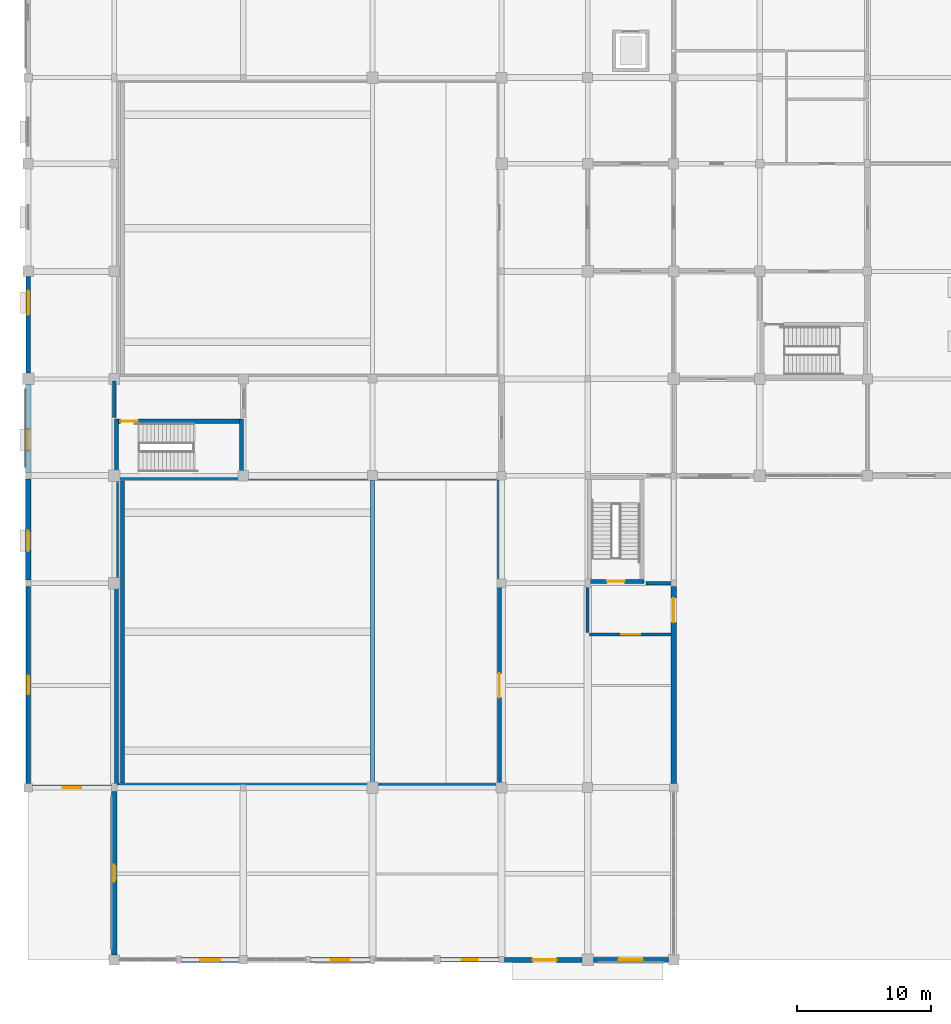
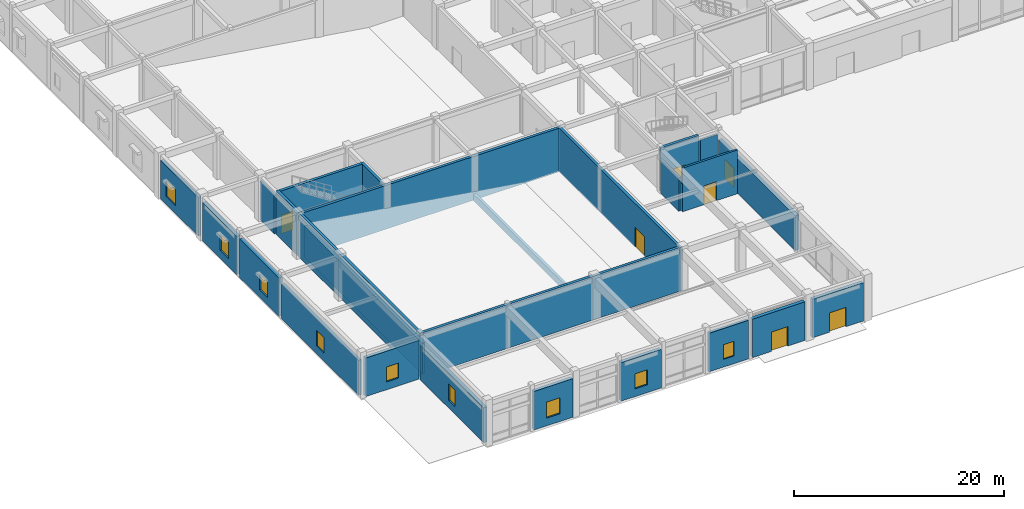
# One storey, part 23 of 40: 26 walls, 9 windows, 7 doors, 16 openings.
"""IFC4 building model written with IfcOpenShell, lengths in metres."""

import ifcopenshell
import ifcopenshell.guid

model = None  # the IFC model being written
_history = None  # IfcOwnerHistory: only IFC2X3 demands one
_inside = {}  # id of a spatial element -> (the spatial element, [elements in it])
_under = {}  # id of a project, library or spatial element -> (it, [spatial elements below it])
_declared = {}  # id of a project -> (the project, [libraries it declares])
_typed = {}  # id of a type object -> (the type object, [elements of that type])
_made_of = {}  # id of a material, layer set ... -> (it, [elements and type objects made of it])


def new_model(schema):
    """Start an empty IFC model of exactly this schema.

    Asked for "IFC4X3", IfcOpenShell would pick the latest addendum, in which some entities
    have other attributes; the version numbers below select the first issue.
    IFC2X3 requires an IfcOwnerHistory on every rooted entity: one is made here for all.
    """
    global model, _history
    if schema == "IFC4X3":
        model = ifcopenshell.file(schema_version=(4, 3, 0, 0))
    else:
        model = ifcopenshell.file(schema=schema)
    _inside.clear()
    _under.clear()
    _declared.clear()
    _typed.clear()
    _made_of.clear()
    _history = None
    if model.schema == "IFC2X3":
        org = make("IfcOrganization", Name="unknown")
        user = make(
            "IfcPersonAndOrganization",
            ThePerson=make("IfcPerson", FamilyName="unknown"),
            TheOrganization=org,
        )
        app = make(
            "IfcApplication",
            ApplicationDeveloper=org,
            Version="unknown",
            ApplicationFullName="unknown",
            ApplicationIdentifier="unknown",
        )
        _history = make(
            "IfcOwnerHistory",
            OwningUser=user,
            OwningApplication=app,
            ChangeAction="ADDED",
            CreationDate=0,
        )
    return model


def make(cls, **values):
    """One entity of the class cls with the attributes given. An attribute that is None is left unset."""
    return model.create_entity(
        cls, **{name: value for name, value in values.items() if value is not None}
    )


def rooted(cls, **values):
    """An entity with a GlobalId (a new one), such as an element, a storey or a relation."""
    return make(cls, GlobalId=ifcopenshell.guid.new(), OwnerHistory=_history, **values)


def si_unit(unit_type, name, prefix=None):
    """IfcSIUnit, for example si_unit("LENGTHUNIT", "METRE", prefix="MILLI")."""
    return make("IfcSIUnit", UnitType=unit_type, Prefix=prefix, Name=name)


def assignment(units):
    """IfcUnitAssignment: the units of a project."""
    return None if units is None else make("IfcUnitAssignment", Units=units)


def point(xyz):
    """IfcCartesianPoint."""
    return None if xyz is None else make("IfcCartesianPoint", Coordinates=xyz)


def direction(xyz):
    """IfcDirection."""
    return None if xyz is None else make("IfcDirection", DirectionRatios=xyz)


def frame(location, z_axis=None, x_axis=None):
    """IfcAxis2Placement3D, a coordinate frame: its origin and axes. An axis left out is left unset."""
    return make(
        "IfcAxis2Placement3D",
        Location=point(location),
        Axis=direction(z_axis),
        RefDirection=direction(x_axis),
    )


def frame_2d(location, x_axis=None):
    """IfcAxis2Placement2D, a coordinate frame in the plane: its origin and x axis."""
    return make(
        "IfcAxis2Placement2D", Location=point(location), RefDirection=direction(x_axis)
    )


def origin():
    """The frame at (0, 0, 0) with its axes left unset."""
    return frame((0.0, 0.0, 0.0))


def place(relative_to, where):
    """IfcLocalPlacement: puts the frame where relative to a parent placement (None: the world)."""
    return make(
        "IfcLocalPlacement", PlacementRelTo=relative_to, RelativePlacement=where
    )


def context(
    kind, dimensions, precision=None, world=None, true_north=None, identifier=None
):
    """IfcGeometricRepresentationContext, for example the 3D "Model" context."""
    return make(
        "IfcGeometricRepresentationContext",
        ContextIdentifier=identifier,
        ContextType=kind,
        CoordinateSpaceDimension=dimensions,
        Precision=precision,
        WorldCoordinateSystem=world,
        TrueNorth=true_north,
    )


def subcontext(parent, identifier, kind, view, scale=None):
    """IfcGeometricRepresentationSubContext, for example "Body" below "Model"."""
    return make(
        "IfcGeometricRepresentationSubContext",
        ContextIdentifier=identifier,
        ContextType=kind,
        ParentContext=parent,
        TargetScale=scale,
        TargetView=view,
    )


def project(units=None, contexts=None):
    """IfcProject with its units and contexts."""
    return rooted(
        "IfcProject",
        Name="project",
        RepresentationContexts=contexts,
        UnitsInContext=assignment(units),
    )


def spatial(cls, under=None, at=None, **own):
    """A site, building, storey or space (cls), placed at a placement, below another one or the project."""
    s = rooted(cls, ObjectPlacement=at, **own)
    if under is not None:
        _under.setdefault(under.id(), (under, []))[1].append(s)
    return s


def profile(cls, at=None, kind="AREA", **sizes):
    """A parametric profile (cls). Its sizes go by their IFC names, for example OverallWidth=200.0."""
    return make(cls, ProfileType=kind, Position=at, **sizes)


def rectangle(**sizes):
    """IfcRectangleProfileDef."""
    return profile("IfcRectangleProfileDef", **sizes)


def extrude(swept, where, along, depth):
    """IfcExtrudedAreaSolid: the profile swept, set in the frame where, extruded along a direction by depth."""
    return make(
        "IfcExtrudedAreaSolid",
        SweptArea=swept,
        Position=where,
        ExtrudedDirection=direction(along),
        Depth=depth,
    )


def shape(context_of_items, identifier, shape_type, items):
    """IfcShapeRepresentation: the items that make up one representation, for example the "Body"."""
    return make(
        "IfcShapeRepresentation",
        ContextOfItems=context_of_items,
        RepresentationIdentifier=identifier,
        RepresentationType=shape_type,
        Items=items,
    )


def material(Name=None, Category=None):
    """IfcMaterial."""
    return make("IfcMaterial", Name=Name, Category=Category)


def layer(
    of_material, thickness, ventilated=None, Name=None, Category=None, Priority=None
):
    """IfcMaterialLayer: one layer of a wall or slab, of a material (None: an air gap)."""
    return make(
        "IfcMaterialLayer",
        Material=of_material,
        LayerThickness=thickness,
        IsVentilated=ventilated,
        Name=Name,
        Category=Category,
        Priority=Priority,
    )


def layer_set(layers, Name=None):
    """IfcMaterialLayerSet."""
    return make("IfcMaterialLayerSet", MaterialLayers=layers, LayerSetName=Name)


def made_of(thing, what):
    """Note that an element or type object is made of a material, layer set ...; save() writes the relation."""
    if what is not None:
        _made_of.setdefault(what.id(), (what, []))[1].append(thing)
    return thing


def type_object(cls, material=None, **own):
    """A type object (cls), such as IfcWallType, which elements share."""
    return made_of(rooted(cls, **own), material)


def element(
    cls,
    number,
    at=None,
    inside=None,
    cuts=None,
    type_object=None,
    material=None,
    context=None,
    identifier="Body",
    shape_type=None,
    held_by="IfcProductDefinitionShape",
    body=None,
    shapes=None,
    **own,
):
    """One element of the class cls, such as IfcWall. Its Tag is "e" and its number.

    at: its placement. inside: the storey or other place that contains it. cuts: it is an
    opening in that element (IfcRelVoidsElement). A single representation is given by context,
    identifier, shape_type and body (its items); several are given by shapes. held_by: the class
    of the entity that holds the representations. save() writes the other relations.
    """
    e = rooted(cls, Tag="e%d" % number, ObjectPlacement=at, **own)
    if body is not None:
        shapes = [shape(context, identifier, shape_type, body)]
    if shapes is not None:
        e.Representation = make(held_by, Representations=shapes)
    if inside is not None:
        _inside.setdefault(inside.id(), (inside, []))[1].append(e)
    if cuts is not None:
        rooted(
            "IfcRelVoidsElement", RelatingBuildingElement=cuts, RelatedOpeningElement=e
        )
    if type_object is not None:
        _typed.setdefault(type_object.id(), (type_object, []))[1].append(e)
    return made_of(e, material)


def fill(opening, filler):
    """IfcRelFillsElement: the door or window that sits in an opening."""
    return rooted(
        "IfcRelFillsElement",
        RelatingOpeningElement=opening,
        RelatedBuildingElement=filler,
    )


def aggregate(whole, parts):
    """IfcRelAggregates: a whole, such as a stair, and the parts it consists of."""
    return rooted("IfcRelAggregates", RelatingObject=whole, RelatedObjects=parts)


def save(model, path):
    """Write the relations noted so far, then the file.

    IfcRelAggregates (storeys below a building ...), IfcRelContainedInSpatialStructure (elements
    in a storey), IfcRelDefinesByType, IfcRelAssociatesMaterial and IfcRelDeclares: one each for
    every whole, place, type object, material and project.
    """
    for whole, parts in _under.values():
        aggregate(whole, parts)
    for where, things in _inside.values():
        rooted(
            "IfcRelContainedInSpatialStructure",
            RelatedElements=things,
            RelatingStructure=where,
        )
    for kind, things in _typed.values():
        rooted("IfcRelDefinesByType", RelatedObjects=things, RelatingType=kind)
    for what, things in _made_of.values():
        rooted("IfcRelAssociatesMaterial", RelatedObjects=things, RelatingMaterial=what)
    for by, libraries in _declared.values():
        rooted("IfcRelDeclares", RelatingContext=by, RelatedDefinitions=libraries)
    model.write(path)


model = new_model("IFC4")

# Units and contexts
model_context = context("Model", 3, precision=1e-05, world=origin(), true_north=direction((0.0, 1.0)))
body_context = subcontext(model_context, "Body", "Model", "MODEL_VIEW")
ifc_project = project(units=[si_unit("LENGTHUNIT", "METRE"), si_unit("AREAUNIT", "SQUARE_METRE"), si_unit("VOLUMEUNIT", "CUBIC_METRE"), si_unit("PLANEANGLEUNIT", "RADIAN"), si_unit("MASSUNIT", "GRAM", prefix="KILO")], contexts=[model_context])

# Site, building, storey
site_placement = place(None, origin())
site = spatial("IfcSite", under=ifc_project, at=site_placement, CompositionType="ELEMENT")
building_placement = place(site_placement, origin())
building = spatial("IfcBuilding", under=site, at=building_placement, Name="Vellmiral Cinema and Media Centre", CompositionType="ELEMENT")
storey_placement = place(building_placement, origin())
storey = spatial("IfcBuildingStorey", under=building, at=storey_placement, Name="L00", CompositionType="ELEMENT", Elevation=0.0)

# Walls
ifc_material_1 = material(Name="Concrete C40/50", Category="concrete")
ifc_layer_1 = layer(ifc_material_1, 0.300048828125, Name="Concrete C40/50")
ifc_layer_set_1 = layer_set([ifc_layer_1], Name="Concrete C40/50")
wall_type_1 = type_object("IfcWallType", Name="WL-CORE-300", PredefinedType="SHEAR", material=ifc_layer_set_1)
for number, where, z_axis, x_axis, name in (
    (1, (6.699951171875, 12.949951171875, 0.0), (0.0, 0.0, 1.0), (1.0, 0.0, 0.0), "Cinema Screen 1 Acoustic Enclosure Wall L00-S1"),
    (2, (6.699951171875, 35.85009765625, 0.0), (0.0, 0.0, 1.0), (1.0, 0.0, 0.0), "Cinema Screen 1 Acoustic Enclosure Wall L00-N1"),
):
    element("IfcWall", number, at=place(storey_placement, frame(where, z_axis=z_axis, x_axis=x_axis)), inside=storey, type_object=wall_type_1, Name=name, PredefinedType="SHEAR", context=body_context, shape_type="SweptSolid", body=[
        extrude(rectangle(XDim=28.199951171875, YDim=0.300048828125, at=frame_2d((14.10009765625, 0.0))), origin(), (0.0, 0.0, 1.0), 5.080078125),
    ])
wall_1_placement = place(storey_placement, frame((6.550048828125, 12.800048828125, 0.0), z_axis=(0.0, 0.0, 1.0), x_axis=(0.0, 1.0, 0.0)))
element("IfcWall", 3, at=wall_1_placement, inside=storey, type_object=wall_type_1, Name="Cinema Screen 1 Acoustic Enclosure Wall L00-W1", PredefinedType="SHEAR", context=body_context, shape_type="SweptSolid", body=[
    extrude(rectangle(XDim=23.199951171875, YDim=0.300048828125, at=frame_2d((11.60009765625, 0.0))), origin(), (0.0, 0.0, 1.0), 5.080078125),
])

# Wall, opening, door
wall_2_placement = place(storey_placement, frame((35.050048828125, 12.800048828125, 0.0), z_axis=(0.0, 0.0, 1.0), x_axis=(0.0, 1.0, 0.0)))
wall_2 = element("IfcWall", 4, at=wall_2_placement, inside=storey, type_object=wall_type_1, Name="Cinema Screen 1 Acoustic Enclosure Wall L00-E1", PredefinedType="SHEAR", context=body_context, shape_type="SweptSolid", body=[
    extrude(rectangle(XDim=23.199951171875, YDim=0.300048828125, at=frame_2d((11.60009765625, 0.0))), origin(), (0.0, 0.0, 1.0), 5.080078125),
])
opening_1_placement = place(wall_2_placement, frame((6.699951171875, 0.0, 0.0)))
opening_1 = element("IfcOpeningElement", 5, at=opening_1_placement, cuts=wall_2, Name="Opening D-AC1", PredefinedType="OPENING", context=body_context, shape_type="SweptSolid", body=[
    extrude(rectangle(XDim=1.800048828125, YDim=2.300048828125, at=frame_2d((0.89990234375, 1.14990234375))), frame((0.0, 0.162109375, 0.0), z_axis=(0.0, -1.0, 0.0), x_axis=(1.0, 0.0, 0.0)), (0.0, 0.0, 1.0), 0.323974609375),
])
ifc_material_2 = material(Name="Acoustic Steel Studio Door", Category="steel")
door_type_1 = type_object("IfcDoorType", Name="DR-AC-1800x2300", OperationType="DOUBLE_DOOR_SINGLE_SWING", PredefinedType="DOOR", material=ifc_material_2)
door_1_placement = place(opening_1_placement, frame((1.800048828125, 0.0, 0.0), z_axis=(0.0, 0.0, 1.0), x_axis=(-1.0, 0.0, 0.0)))
door_1 = element("IfcDoor", 6, at=door_1_placement, inside=storey, type_object=door_type_1, Name="Cinema Screen 1 Entrance Door", OperationType="DOUBLE_DOOR_SINGLE_SWING", OverallHeight=2.300048828125, OverallWidth=1.800048828125, PredefinedType="DOOR", context=body_context, shape_type="SweptSolid", body=[
    extrude(rectangle(XDim=1.800048828125, YDim=2.300048828125, at=frame_2d((0.89990234375, 1.14990234375))), frame((0.0, 0.02490234375, 0.0), z_axis=(0.0, -1.0, 0.0), x_axis=(1.0, 0.0, 0.0)), (0.0, 0.0, 1.0), 0.050048828125),
])
fill(opening_1, door_1)

wall_3_placement = place(storey_placement, frame((41.60009765625, 28.14990234375, 0.0), z_axis=(0.0, 0.0, 1.0), x_axis=(1.0, 0.0, 0.0)))
wall_3 = element("IfcWall", 7, at=wall_3_placement, inside=storey, type_object=wall_type_1, Name="Stair Core Wall ST-P1 L00-S", PredefinedType="SHEAR", context=body_context, shape_type="SweptSolid", body=[
    extrude(rectangle(XDim=4.199951171875, YDim=0.300048828125, at=frame_2d((2.10009765625, 0.0))), origin(), (0.0, 0.0, 1.0), 5.080078125),
])
opening_2_placement = place(wall_3_placement, frame((1.449951171875, 0.0, 0.0)))
opening_2 = element("IfcOpeningElement", 8, at=opening_2_placement, cuts=wall_3, Name="Opening D-FD30A", PredefinedType="OPENING", context=body_context, shape_type="SweptSolid", body=[
    extrude(rectangle(XDim=1.300048828125, YDim=2.179931640625, at=frame_2d((0.64990234375, 1.08984375))), frame((0.0, 0.162109375, 0.0), z_axis=(0.0, -1.0, 0.0), x_axis=(1.0, 0.0, 0.0)), (0.0, 0.0, 1.0), 0.323974609375),
])
ifc_material_3 = material(Name="Steel Stair Fire Door", Category="steel")
door_type_2 = type_object("IfcDoorType", Name="DR-FD30-1300x2180", OperationType="NOTDEFINED", PredefinedType="DOOR", material=ifc_material_3)
door_2_placement = place(opening_2_placement, frame((1.300048828125, 0.0, 0.0), z_axis=(0.0, 0.0, 1.0), x_axis=(-1.0, 0.0, 0.0)))
door_2 = element("IfcDoor", 9, at=door_2_placement, inside=storey, type_object=door_type_2, Name="Protected Stair Door ST-P1 L00", OperationType="SINGLE_SWING_RIGHT", OverallHeight=2.179931640625, OverallWidth=1.300048828125, PredefinedType="DOOR", context=body_context, shape_type="SweptSolid", body=[
    extrude(rectangle(XDim=1.300048828125, YDim=2.179931640625, at=frame_2d((0.64990234375, 1.08984375))), frame((0.0, 0.02490234375, 0.0), z_axis=(0.0, -1.0, 0.0), x_axis=(1.0, 0.0, 0.0)), (0.0, 0.0, 1.0), 0.050048828125),
])
fill(opening_2, door_2)

# Walls
for number, where, z_axis, x_axis, name in (
    (10, (6.550048828125, 36.0, 0.0), (0.0, 0.0, 1.0), (0.0, 1.0, 0.0), "Stair Core Wall ST-P7 L00-W"),
    (11, (15.85009765625, 36.0, 0.0), (0.0, 0.0, 1.0), (0.0, 1.0, 0.0), "Stair Core Wall ST-P7 L00-E"),
):
    element("IfcWall", number, at=place(storey_placement, frame(where, z_axis=z_axis, x_axis=x_axis)), inside=storey, type_object=wall_type_1, Name=name, PredefinedType="SHEAR", context=body_context, shape_type="SweptSolid", body=[
        extrude(rectangle(XDim=4.199951171875, YDim=0.300048828125, at=frame_2d((2.10009765625, 0.0))), origin(), (0.0, 0.0, 1.0), 5.080078125),
    ])

# Wall, opening, door
wall_4_placement = place(storey_placement, frame((6.699951171875, 40.050048828125, 0.0), z_axis=(0.0, 0.0, 1.0), x_axis=(1.0, 0.0, 0.0)))
wall_4 = element("IfcWall", 12, at=wall_4_placement, inside=storey, type_object=wall_type_1, Name="Stair Core Wall ST-P7 L00-N", PredefinedType="SHEAR", context=body_context, shape_type="SweptSolid", body=[
    extrude(rectangle(XDim=9.0, YDim=0.300048828125, at=frame_2d((4.5, 0.0))), origin(), (0.0, 0.0, 1.0), 5.080078125),
])
opening_3_placement = place(wall_4_placement, frame((0.159912109375, 0.0, 0.0)))
opening_3 = element("IfcOpeningElement", 13, at=opening_3_placement, cuts=wall_4, Name="Opening D-FD30A", PredefinedType="OPENING", context=body_context, shape_type="SweptSolid", body=[
    extrude(rectangle(XDim=1.300048828125, YDim=2.179931640625, at=frame_2d((0.64990234375, 1.08984375))), frame((0.0, 0.162109375, 0.0), z_axis=(0.0, -1.0, 0.0), x_axis=(1.0, 0.0, 0.0)), (0.0, 0.0, 1.0), 0.323974609375),
])
door_3_placement = place(opening_3_placement, origin())
door_3 = element("IfcDoor", 14, at=door_3_placement, inside=storey, type_object=door_type_2, Name="Protected Stair Door ST-P7 L00", OperationType="SINGLE_SWING_LEFT", OverallHeight=2.179931640625, OverallWidth=1.300048828125, PredefinedType="DOOR", context=body_context, shape_type="SweptSolid", body=[
    extrude(rectangle(XDim=1.300048828125, YDim=2.179931640625, at=frame_2d((0.64990234375, 1.08984375))), frame((0.0, 0.02490234375, 0.0), z_axis=(0.0, -1.0, 0.0), x_axis=(1.0, 0.0, 0.0)), (0.0, 0.0, 1.0), 0.050048828125),
])
fill(opening_3, door_3)

# Wall, opening, window
ifc_material_4 = material(Name="Polychrome Glazed Ceramic Cladding", Category="masonry")
ifc_layer_2 = layer(ifc_material_4, 0.320068359375, Name="Polychrome Glazed Ceramic Cladding")
ifc_layer_set_2 = layer_set([ifc_layer_2], Name="Polychrome Glazed Ceramic Cladding")
wall_type_2 = type_object("IfcWallType", Name="WL-EXT-BRICK-320", PredefinedType="SOLIDWALL", material=ifc_layer_set_2)
wall_5_placement = place(storey_placement, frame((30.64990234375, 0.0, 0.0), z_axis=(0.0, 0.0, 1.0), x_axis=(1.0, 0.0, 0.0)))
wall_5 = element("IfcWall", 15, at=wall_5_placement, inside=storey, type_object=wall_type_2, Name="Exterior Facade Wall L00-006", PredefinedType="SOLIDWALL", context=body_context, shape_type="SweptSolid", body=[
    extrude(rectangle(XDim=4.35009765625, YDim=0.320068359375, at=frame_2d((2.175048828125, 0.0))), origin(), (0.0, 0.0, 1.0), 4.47998046875),
])
opening_4_placement = place(wall_5_placement, frame((1.574951171875, 0.0, 0.89990234375)))
opening_4 = element("IfcOpeningElement", 16, at=opening_4_placement, cuts=wall_5, Name="Opening WN-10", PredefinedType="OPENING", context=body_context, shape_type="SweptSolid", body=[
    extrude(rectangle(XDim=1.199951171875, YDim=1.699951171875, at=frame_2d((0.60009765625, 0.85009765625))), frame((0.0, 0.171875, 0.0), z_axis=(0.0, -1.0, 0.0), x_axis=(1.0, 0.0, 0.0)), (0.0, 0.0, 1.0), 0.343994140625),
])
ifc_material_5 = material(Name="Thermally Broken Aluminium Triple Glazing", Category="aluminium")
window_type_1 = type_object("IfcWindowType", Name="WN-1200x1700", PartitioningType="SINGLE_PANEL", PredefinedType="WINDOW", material=ifc_material_5)
window_1_placement = place(opening_4_placement, origin())
window_1 = element("IfcWindow", 17, at=window_1_placement, inside=storey, type_object=window_type_1, Name="Window L00-006", OverallHeight=1.699951171875, OverallWidth=1.199951171875, PartitioningType="SINGLE_PANEL", PredefinedType="WINDOW", context=body_context, shape_type="SweptSolid", body=[
    extrude(rectangle(XDim=1.199951171875, YDim=1.699951171875, at=frame_2d((0.60009765625, 0.85009765625))), frame((0.0, 0.030029296875, 0.0), z_axis=(0.0, -1.0, 0.0), x_axis=(1.0, 0.0, 0.0)), (0.0, 0.0, 1.0), 0.06005859375),
])
fill(opening_4, window_1)

wall_6_placement = place(storey_placement, frame((0.0, 50.800048828125, 0.0), z_axis=(0.0, 0.0, 1.0), x_axis=(0.0, -1.0, 0.0)))
wall_6 = element("IfcWall", 18, at=wall_6_placement, inside=storey, type_object=wall_type_2, Name="Exterior Facade Wall L00-075", PredefinedType="SOLIDWALL", context=body_context, shape_type="SweptSolid", body=[
    extrude(rectangle(XDim=7.175048828125, YDim=0.320068359375, at=frame_2d((3.58740234375, 0.0))), origin(), (0.0, 0.0, 1.0), 4.47998046875),
])
opening_5_placement = place(wall_6_placement, frame((1.03759765625, 0.0, 0.89990234375)))
opening_5 = element("IfcOpeningElement", 19, at=opening_5_placement, cuts=wall_6, Name="Opening WN-04", PredefinedType="OPENING", context=body_context, shape_type="SweptSolid", body=[
    extrude(rectangle(XDim=1.800048828125, YDim=1.85009765625, at=frame_2d((0.89990234375, 0.925048828125))), frame((0.0, 0.171875, 0.0), z_axis=(0.0, -1.0, 0.0), x_axis=(1.0, 0.0, 0.0)), (0.0, 0.0, 1.0), 0.343994140625),
])
ifc_material_6 = material(Name="Thermally Broken Aluminium Triple Glazing", Category="aluminium")
window_type_2 = type_object("IfcWindowType", Name="WN-1800x1850", PartitioningType="DOUBLE_PANEL_VERTICAL", PredefinedType="WINDOW", material=ifc_material_6)
window_2_placement = place(opening_5_placement, origin())
window_2 = element("IfcWindow", 20, at=window_2_placement, inside=storey, type_object=window_type_2, Name="Window L00-075", OverallHeight=1.85009765625, OverallWidth=1.800048828125, PartitioningType="DOUBLE_PANEL_VERTICAL", PredefinedType="WINDOW", context=body_context, shape_type="SweptSolid", body=[
    extrude(rectangle(XDim=1.800048828125, YDim=1.85009765625, at=frame_2d((0.89990234375, 0.925048828125))), frame((0.0, 0.030029296875, 0.0), z_axis=(0.0, -1.0, 0.0), x_axis=(1.0, 0.0, 0.0)), (0.0, 0.0, 1.0), 0.06005859375),
])
fill(opening_5, window_2)

wall_7_placement = place(storey_placement, frame((0.0, 27.75, 0.0), z_axis=(0.0, 0.0, 1.0), x_axis=(0.0, -1.0, 0.0)))
wall_7 = element("IfcWall", 21, at=wall_7_placement, inside=storey, type_object=wall_type_2, Name="Exterior Facade Wall L00-078", PredefinedType="SOLIDWALL", context=body_context, shape_type="SweptSolid", body=[
    extrude(rectangle(XDim=14.625, YDim=0.320068359375, at=frame_2d((7.3125, 0.0))), origin(), (0.0, 0.0, 1.0), 4.06494140625),
])
opening_6_placement = place(wall_7_placement, frame((6.612548828125, 0.0, 0.89990234375)))
opening_6 = element("IfcOpeningElement", 22, at=opening_6_placement, cuts=wall_7, Name="Opening WN-07", PredefinedType="OPENING", context=body_context, shape_type="SweptSolid", body=[
    extrude(rectangle(XDim=1.39990234375, YDim=1.800048828125, at=frame_2d((0.699951171875, 0.89990234375))), frame((0.0, 0.171875, 0.0), z_axis=(0.0, -1.0, 0.0), x_axis=(1.0, 0.0, 0.0)), (0.0, 0.0, 1.0), 0.343994140625),
])
ifc_material_7 = material(Name="Thermally Broken Aluminium Triple Glazing", Category="aluminium")
window_type_3 = type_object("IfcWindowType", Name="WN-1400x1800", PartitioningType="SINGLE_PANEL", PredefinedType="WINDOW", material=ifc_material_7)
window_3_placement = place(opening_6_placement, origin())
window_3 = element("IfcWindow", 23, at=window_3_placement, inside=storey, type_object=window_type_3, Name="Window L00-078", OverallHeight=1.800048828125, OverallWidth=1.39990234375, PartitioningType="SINGLE_PANEL", PredefinedType="WINDOW", context=body_context, shape_type="SweptSolid", body=[
    extrude(rectangle(XDim=1.39990234375, YDim=1.800048828125, at=frame_2d((0.699951171875, 0.89990234375))), frame((0.0, 0.030029296875, 0.0), z_axis=(0.0, -1.0, 0.0), x_axis=(1.0, 0.0, 0.0)), (0.0, 0.0, 1.0), 0.06005859375),
])
fill(opening_6, window_3)

ifc_material_8 = material(Name="Vosges Red Sandstone Masonry", Category="masonry")
ifc_layer_3 = layer(ifc_material_8, 0.3798828125, Name="Vosges Red Sandstone Masonry")
ifc_layer_set_3 = layer_set([ifc_layer_3], Name="Vosges Red Sandstone Masonry")
wall_type_3 = type_object("IfcWallType", Name="WL-EXT-SAND-380", PredefinedType="SOLIDWALL", material=ifc_layer_set_3)
wall_8_placement = place(storey_placement, frame((11.39990234375, 0.0, 0.0), z_axis=(0.0, 0.0, 1.0), x_axis=(1.0, 0.0, 0.0)))
wall_8 = element("IfcWall", 24, at=wall_8_placement, inside=storey, type_object=wall_type_3, Name="Exterior Facade Wall L00-002", PredefinedType="SOLIDWALL", context=body_context, shape_type="SweptSolid", body=[
    extrude(rectangle(XDim=4.275146484375, YDim=0.3798828125, at=frame_2d((2.1376953125, 0.0))), origin(), (0.0, 0.0, 1.0), 4.47998046875),
])
opening_7_placement = place(wall_8_placement, frame((1.387451171875, 0.0, 0.89990234375)))
opening_7 = element("IfcOpeningElement", 25, at=opening_7_placement, cuts=wall_8, Name="Opening WN-06", PredefinedType="OPENING", context=body_context, shape_type="SweptSolid", body=[
    extrude(rectangle(XDim=1.5, YDim=1.85009765625, at=frame_2d((0.75, 0.925048828125))), frame((0.0, 0.201904296875, 0.0), z_axis=(0.0, -1.0, 0.0), x_axis=(1.0, 0.0, 0.0)), (0.0, 0.0, 1.0), 0.40380859375),
])
ifc_material_9 = material(Name="Thermally Broken Aluminium Triple Glazing", Category="aluminium")
window_type_4 = type_object("IfcWindowType", Name="WN-1500x1850", PartitioningType="SINGLE_PANEL", PredefinedType="WINDOW", material=ifc_material_9)
window_4_placement = place(opening_7_placement, origin())
window_4 = element("IfcWindow", 26, at=window_4_placement, inside=storey, type_object=window_type_4, Name="Window L00-002", OverallHeight=1.85009765625, OverallWidth=1.5, PartitioningType="SINGLE_PANEL", PredefinedType="WINDOW", context=body_context, shape_type="SweptSolid", body=[
    extrude(rectangle(XDim=1.5, YDim=1.85009765625, at=frame_2d((0.75, 0.925048828125))), frame((0.0, 0.030029296875, 0.0), z_axis=(0.0, -1.0, 0.0), x_axis=(1.0, 0.0, 0.0)), (0.0, 0.0, 1.0), 0.06005859375),
])
fill(opening_7, window_4)

wall_9_placement = place(storey_placement, frame((20.97509765625, 0.0, 0.0), z_axis=(0.0, 0.0, 1.0), x_axis=(1.0, 0.0, 0.0)))
wall_9 = element("IfcWall", 27, at=wall_9_placement, inside=storey, type_object=wall_type_3, Name="Exterior Facade Wall L00-004", PredefinedType="SOLIDWALL", context=body_context, shape_type="SweptSolid", body=[
    extrude(rectangle(XDim=4.4248046875, YDim=0.3798828125, at=frame_2d((2.21240234375, 0.0))), origin(), (0.0, 0.0, 1.0), 4.47998046875),
])
opening_8_placement = place(wall_9_placement, frame((1.53759765625, 0.0, 0.89990234375)))
opening_8 = element("IfcOpeningElement", 28, at=opening_8_placement, cuts=wall_9, Name="Opening WN-08", PredefinedType="OPENING", context=body_context, shape_type="SweptSolid", body=[
    extrude(rectangle(XDim=1.35009765625, YDim=1.75, at=frame_2d((0.675048828125, 0.875))), frame((0.0, 0.201904296875, 0.0), z_axis=(0.0, -1.0, 0.0), x_axis=(1.0, 0.0, 0.0)), (0.0, 0.0, 1.0), 0.40380859375),
])
ifc_material_10 = material(Name="Thermally Broken Aluminium Triple Glazing", Category="aluminium")
window_type_5 = type_object("IfcWindowType", Name="WN-1350x1750", PartitioningType="SINGLE_PANEL", PredefinedType="WINDOW", material=ifc_material_10)
window_5_placement = place(opening_8_placement, origin())
window_5 = element("IfcWindow", 29, at=window_5_placement, inside=storey, type_object=window_type_5, Name="Window L00-004", OverallHeight=1.75, OverallWidth=1.35009765625, PartitioningType="SINGLE_PANEL", PredefinedType="WINDOW", context=body_context, shape_type="SweptSolid", body=[
    extrude(rectangle(XDim=1.35009765625, YDim=1.75, at=frame_2d((0.675048828125, 0.875))), frame((0.0, 0.030029296875, 0.0), z_axis=(0.0, -1.0, 0.0), x_axis=(1.0, 0.0, 0.0)), (0.0, 0.0, 1.0), 0.06005859375),
])
fill(opening_8, window_5)

# Wall, opening, door
wall_10_placement = place(storey_placement, frame((35.39990234375, 0.0, 0.0), z_axis=(0.0, 0.0, 1.0), x_axis=(1.0, 0.0, 0.0)))
wall_10 = element("IfcWall", 30, at=wall_10_placement, inside=storey, type_object=wall_type_3, Name="Exterior Facade Wall L00-007", PredefinedType="SOLIDWALL", context=body_context, shape_type="SweptSolid", body=[
    extrude(rectangle(XDim=5.775146484375, YDim=0.3798828125, at=frame_2d((2.8876953125, 0.0))), origin(), (0.0, 0.0, 1.0), 4.47998046875),
])
opening_9_placement = place(wall_10_placement, frame((2.10009765625, 0.0, 0.0)))
opening_9 = element("IfcOpeningElement", 31, at=opening_9_placement, cuts=wall_10, Name="Opening DE-03", PredefinedType="OPENING", context=body_context, shape_type="SweptSolid", body=[
    extrude(rectangle(XDim=1.800048828125, YDim=2.25, at=frame_2d((0.89990234375, 1.125))), frame((0.0, 0.201904296875, 0.0), z_axis=(0.0, -1.0, 0.0), x_axis=(1.0, 0.0, 0.0)), (0.0, 0.0, 1.0), 0.40380859375),
])
ifc_material_11 = material(Name="Thermally Broken Glazed Aluminium and Bronze Door", Category="aluminium")
door_type_3 = type_object("IfcDoorType", Name="DR-EXIT-1800x2250", OperationType="DOUBLE_DOOR_SINGLE_SWING", PredefinedType="DOOR", material=ifc_material_11)
door_4_placement = place(opening_9_placement, frame((1.800048828125, 0.0, 0.0), z_axis=(0.0, 0.0, 1.0), x_axis=(-1.0, 0.0, 0.0)))
door_4 = element("IfcDoor", 32, at=door_4_placement, inside=storey, type_object=door_type_3, Name="West Promenade Colonnade Exit", OperationType="DOUBLE_DOOR_SINGLE_SWING", OverallHeight=2.25, OverallWidth=1.800048828125, PredefinedType="DOOR", context=body_context, shape_type="SweptSolid", body=[
    extrude(rectangle(XDim=1.800048828125, YDim=2.25, at=frame_2d((0.89990234375, 1.125))), frame((0.0, 0.02490234375, 0.0), z_axis=(0.0, -1.0, 0.0), x_axis=(1.0, 0.0, 0.0)), (0.0, 0.0, 1.0), 0.050048828125),
])
fill(opening_9, door_4)

wall_11_placement = place(storey_placement, frame((42.02490234375, 0.0, 0.0), z_axis=(0.0, 0.0, 1.0), x_axis=(1.0, 0.0, 0.0)))
wall_11 = element("IfcWall", 33, at=wall_11_placement, inside=storey, type_object=wall_type_3, Name="Exterior Facade Wall L00-008", PredefinedType="SOLIDWALL", context=body_context, shape_type="SweptSolid", body=[
    extrude(rectangle(XDim=5.5751953125, YDim=0.3798828125, at=frame_2d((2.78759765625, 0.0))), origin(), (0.0, 0.0, 1.0), 4.465087890625),
])
opening_10_placement = place(wall_11_placement, frame((1.875, 0.0, 0.0)))
opening_10 = element("IfcOpeningElement", 34, at=opening_10_placement, cuts=wall_11, Name="Opening DE-03", PredefinedType="OPENING", context=body_context, shape_type="SweptSolid", body=[
    extrude(rectangle(XDim=1.800048828125, YDim=2.25, at=frame_2d((0.89990234375, 1.125))), frame((0.0, 0.201904296875, 0.0), z_axis=(0.0, -1.0, 0.0), x_axis=(1.0, 0.0, 0.0)), (0.0, 0.0, 1.0), 0.40380859375),
])
door_5_placement = place(opening_10_placement, frame((1.800048828125, 0.0, 0.0), z_axis=(0.0, 0.0, 1.0), x_axis=(-1.0, 0.0, 0.0)))
door_5 = element("IfcDoor", 35, at=door_5_placement, inside=storey, type_object=door_type_3, Name="West Stair ST-P1 Promenade Discharge", OperationType="DOUBLE_DOOR_SINGLE_SWING", OverallHeight=2.25, OverallWidth=1.800048828125, PredefinedType="DOOR", context=body_context, shape_type="SweptSolid", body=[
    extrude(rectangle(XDim=1.800048828125, YDim=2.25, at=frame_2d((0.89990234375, 1.125))), frame((0.0, 0.02490234375, 0.0), z_axis=(0.0, -1.0, 0.0), x_axis=(1.0, 0.0, 0.0)), (0.0, 0.0, 1.0), 0.050048828125),
])
fill(opening_10, door_5)

wall_12_placement = place(storey_placement, frame((48.0, 13.125, 0.0), z_axis=(0.0, 0.0, 1.0), x_axis=(0.0, 1.0, 0.0)))
wall_12 = element("IfcWall", 36, at=wall_12_placement, inside=storey, type_object=wall_type_3, Name="Exterior Facade Wall L00-010", PredefinedType="SOLIDWALL", context=body_context, shape_type="SweptSolid", body=[
    extrude(rectangle(XDim=14.625, YDim=0.3798828125, at=frame_2d((7.3125, 0.0))), origin(), (0.0, 0.0, 1.0), 4.06494140625),
])
opening_11_placement = place(wall_12_placement, frame((11.97509765625, 0.0, 0.0)))
opening_11 = element("IfcOpeningElement", 37, at=opening_11_placement, cuts=wall_12, Name="Opening DE-03", PredefinedType="OPENING", context=body_context, shape_type="SweptSolid", body=[
    extrude(rectangle(XDim=1.800048828125, YDim=2.25, at=frame_2d((0.89990234375, 1.125))), frame((0.0, 0.201904296875, 0.0), z_axis=(0.0, -1.0, 0.0), x_axis=(1.0, 0.0, 0.0)), (0.0, 0.0, 1.0), 0.40380859375),
])
door_6_placement = place(opening_11_placement, frame((1.800048828125, 0.0, 0.0), z_axis=(0.0, 0.0, 1.0), x_axis=(-1.0, 0.0, 0.0)))
door_6 = element("IfcDoor", 38, at=door_6_placement, inside=storey, type_object=door_type_3, Name="Firefighting Stair Lobby ST-P1 Forecourt Exit", OperationType="DOUBLE_DOOR_SINGLE_SWING", OverallHeight=2.25, OverallWidth=1.800048828125, PredefinedType="DOOR", context=body_context, shape_type="SweptSolid", body=[
    extrude(rectangle(XDim=1.800048828125, YDim=2.25, at=frame_2d((0.89990234375, 1.125))), frame((0.0, 0.02490234375, 0.0), z_axis=(0.0, -1.0, 0.0), x_axis=(1.0, 0.0, 0.0)), (0.0, 0.0, 1.0), 0.050048828125),
])
fill(opening_11, door_6)

# Wall, opening, window
wall_13_placement = place(storey_placement, frame((0.0, 42.77490234375, 0.0), z_axis=(0.0, 0.0, 1.0), x_axis=(0.0, -1.0, 0.0)))
wall_13 = element("IfcWall", 39, at=wall_13_placement, inside=storey, type_object=wall_type_3, Name="Exterior Facade Wall L00-076", PredefinedType="SOLIDWALL", context=body_context, shape_type="SweptSolid", body=[
    extrude(rectangle(XDim=6.52490234375, YDim=0.3798828125, at=frame_2d((3.262451171875, 0.0))), origin(), (0.0, 0.0, 1.0), 4.465087890625),
])
opening_12_placement = place(wall_13_placement, frame((3.3125, 0.0, 0.89990234375)))
opening_12 = element("IfcOpeningElement", 40, at=opening_12_placement, cuts=wall_13, Name="Opening WN-05", PredefinedType="OPENING", context=body_context, shape_type="SweptSolid", body=[
    extrude(rectangle(XDim=1.60009765625, YDim=1.949951171875, at=frame_2d((0.800048828125, 0.97509765625))), frame((0.0, 0.201904296875, 0.0), z_axis=(0.0, -1.0, 0.0), x_axis=(1.0, 0.0, 0.0)), (0.0, 0.0, 1.0), 0.40380859375),
])
ifc_material_12 = material(Name="Thermally Broken Aluminium Triple Glazing", Category="aluminium")
window_type_6 = type_object("IfcWindowType", Name="WN-1600x1950", PartitioningType="DOUBLE_PANEL_VERTICAL", PredefinedType="WINDOW", material=ifc_material_12)
window_6_placement = place(opening_12_placement, origin())
window_6 = element("IfcWindow", 41, at=window_6_placement, inside=storey, type_object=window_type_6, Name="Window L00-076", OverallHeight=1.949951171875, OverallWidth=1.60009765625, PartitioningType="DOUBLE_PANEL_VERTICAL", PredefinedType="WINDOW", context=body_context, shape_type="SweptSolid", body=[
    extrude(rectangle(XDim=1.60009765625, YDim=1.949951171875, at=frame_2d((0.800048828125, 0.97509765625))), frame((0.0, 0.030029296875, 0.0), z_axis=(0.0, -1.0, 0.0), x_axis=(1.0, 0.0, 0.0)), (0.0, 0.0, 1.0), 0.06005859375),
])
fill(opening_12, window_6)

wall_14_placement = place(storey_placement, frame((0.0, 35.75, 0.0), z_axis=(0.0, 0.0, 1.0), x_axis=(0.0, -1.0, 0.0)))
wall_14 = element("IfcWall", 42, at=wall_14_placement, inside=storey, type_object=wall_type_3, Name="Exterior Facade Wall L00-077", PredefinedType="SOLIDWALL", context=body_context, shape_type="SweptSolid", body=[
    extrude(rectangle(XDim=7.5, YDim=0.3798828125, at=frame_2d((3.75, 0.0))), origin(), (0.0, 0.0, 1.0), 4.47998046875),
])
opening_13_placement = place(wall_14_placement, frame((3.85009765625, 0.0, 0.89990234375)))
opening_13 = element("IfcOpeningElement", 43, at=opening_13_placement, cuts=wall_14, Name="Opening WN-06", PredefinedType="OPENING", context=body_context, shape_type="SweptSolid", body=[
    extrude(rectangle(XDim=1.5, YDim=1.85009765625, at=frame_2d((0.75, 0.925048828125))), frame((0.0, 0.201904296875, 0.0), z_axis=(0.0, -1.0, 0.0), x_axis=(1.0, 0.0, 0.0)), (0.0, 0.0, 1.0), 0.40380859375),
])
window_7_placement = place(opening_13_placement, origin())
window_7 = element("IfcWindow", 44, at=window_7_placement, inside=storey, type_object=window_type_4, Name="Window L00-077", OverallHeight=1.85009765625, OverallWidth=1.5, PartitioningType="SINGLE_PANEL", PredefinedType="WINDOW", context=body_context, shape_type="SweptSolid", body=[
    extrude(rectangle(XDim=1.5, YDim=1.85009765625, at=frame_2d((0.75, 0.925048828125))), frame((0.0, 0.030029296875, 0.0), z_axis=(0.0, -1.0, 0.0), x_axis=(1.0, 0.0, 0.0)), (0.0, 0.0, 1.0), 0.06005859375),
])
fill(opening_13, window_7)

wall_15_placement = place(storey_placement, frame((0.324951171875, 12.800048828125, 0.0), z_axis=(0.0, 0.0, 1.0), x_axis=(1.0, 0.0, 0.0)))
wall_15 = element("IfcWall", 45, at=wall_15_placement, inside=storey, type_object=wall_type_3, Name="Exterior Facade Wall L00-079", PredefinedType="SOLIDWALL", context=body_context, shape_type="SweptSolid", body=[
    extrude(rectangle(XDim=5.875, YDim=0.3798828125, at=frame_2d((2.9375, 0.0))), origin(), (0.0, 0.0, 1.0), 4.47998046875),
])
opening_14_placement = place(wall_15_placement, frame((2.262451171875, 0.0, 0.89990234375)))
opening_14 = element("IfcOpeningElement", 46, at=opening_14_placement, cuts=wall_15, Name="Opening WN-08", PredefinedType="OPENING", context=body_context, shape_type="SweptSolid", body=[
    extrude(rectangle(XDim=1.35009765625, YDim=1.75, at=frame_2d((0.675048828125, 0.875))), frame((0.0, 0.201904296875, 0.0), z_axis=(0.0, -1.0, 0.0), x_axis=(1.0, 0.0, 0.0)), (0.0, 0.0, 1.0), 0.40380859375),
])
window_8_placement = place(opening_14_placement, origin())
window_8 = element("IfcWindow", 47, at=window_8_placement, inside=storey, type_object=window_type_5, Name="Window L00-079", OverallHeight=1.75, OverallWidth=1.35009765625, PartitioningType="SINGLE_PANEL", PredefinedType="WINDOW", context=body_context, shape_type="SweptSolid", body=[
    extrude(rectangle(XDim=1.35009765625, YDim=1.75, at=frame_2d((0.675048828125, 0.875))), frame((0.0, 0.030029296875, 0.0), z_axis=(0.0, -1.0, 0.0), x_axis=(1.0, 0.0, 0.0)), (0.0, 0.0, 1.0), 0.06005859375),
])
fill(opening_14, window_8)

wall_16_placement = place(storey_placement, frame((6.39990234375, 12.5, 0.0), z_axis=(0.0, 0.0, 1.0), x_axis=(0.0, -1.0, 0.0)))
wall_16 = element("IfcWall", 48, at=wall_16_placement, inside=storey, type_object=wall_type_3, Name="Exterior Facade Wall L00-080", PredefinedType="SOLIDWALL", context=body_context, shape_type="SweptSolid", body=[
    extrude(rectangle(XDim=12.125, YDim=0.3798828125, at=frame_2d((6.0625, 0.0))), origin(), (0.0, 0.0, 1.0), 4.06494140625),
])
opening_15_placement = place(wall_16_placement, frame((5.4375, 0.0, 0.89990234375)))
opening_15 = element("IfcOpeningElement", 49, at=opening_15_placement, cuts=wall_16, Name="Opening WN-09", PredefinedType="OPENING", context=body_context, shape_type="SweptSolid", body=[
    extrude(rectangle(XDim=1.25, YDim=1.89990234375, at=frame_2d((0.625, 0.949951171875))), frame((0.0, 0.201904296875, 0.0), z_axis=(0.0, -1.0, 0.0), x_axis=(1.0, 0.0, 0.0)), (0.0, 0.0, 1.0), 0.40380859375),
])
ifc_material_13 = material(Name="Thermally Broken Aluminium Triple Glazing", Category="aluminium")
window_type_7 = type_object("IfcWindowType", Name="WN-1250x1900", PartitioningType="SINGLE_PANEL", PredefinedType="WINDOW", material=ifc_material_13)
window_9_placement = place(opening_15_placement, origin())
window_9 = element("IfcWindow", 50, at=window_9_placement, inside=storey, type_object=window_type_7, Name="Window L00-080", OverallHeight=1.89990234375, OverallWidth=1.25, PartitioningType="SINGLE_PANEL", PredefinedType="WINDOW", context=body_context, shape_type="SweptSolid", body=[
    extrude(rectangle(XDim=1.25, YDim=1.89990234375, at=frame_2d((0.625, 0.949951171875))), frame((0.0, 0.030029296875, 0.0), z_axis=(0.0, -1.0, 0.0), x_axis=(1.0, 0.0, 0.0)), (0.0, 0.0, 1.0), 0.06005859375),
])
fill(opening_15, window_9)

# Wall, opening, door
ifc_material_14 = material(Name="Concrete C40/50", Category="concrete")
ifc_layer_4 = layer(ifc_material_14, 0.22998046875, Name="Concrete C40/50")
ifc_layer_set_4 = layer_set([ifc_layer_4], Name="Concrete C40/50")
wall_type_4 = type_object("IfcWallType", Name="WL-FFL-230", PredefinedType="SOLIDWALL", material=ifc_layer_set_4)
wall_17_placement = place(storey_placement, frame((41.739990234375, 24.199951171875, 0.0), z_axis=(0.0, 0.0, 1.0), x_axis=(1.0, 0.0, 0.0)))
wall_17 = element("IfcWall", 51, at=wall_17_placement, inside=storey, type_object=wall_type_4, Name="Firefighting Stair Lobby ST-P1 Wall S", PredefinedType="SOLIDWALL", context=body_context, shape_type="SweptSolid", body=[
    extrude(rectangle(XDim=6.054931640625, YDim=0.22998046875, at=frame_2d((3.02734375, 0.0))), origin(), (0.0, 0.0, 1.0), 5.080078125),
])
opening_16_placement = place(wall_17_placement, frame((2.360107421875, 0.0, 0.0)))
opening_16 = element("IfcOpeningElement", 52, at=opening_16_placement, cuts=wall_17, Name="Opening D-FD60B", PredefinedType="OPENING", context=body_context, shape_type="SweptSolid", body=[
    extrude(rectangle(XDim=1.39990234375, YDim=2.199951171875, at=frame_2d((0.699951171875, 1.10009765625))), frame((0.0, 0.126953125, 0.0), z_axis=(0.0, -1.0, 0.0), x_axis=(1.0, 0.0, 0.0)), (0.0, 0.0, 1.0), 0.25390625),
])
ifc_material_15 = material(Name="Steel Fire Door", Category="steel")
door_type_4 = type_object("IfcDoorType", Name="DR-FD60-1400x2200", OperationType="NOTDEFINED", PredefinedType="DOOR", material=ifc_material_15)
door_7_placement = place(opening_16_placement, frame((1.39990234375, 0.0, 0.0), z_axis=(0.0, 0.0, 1.0), x_axis=(-1.0, 0.0, 0.0)))
door_7 = element("IfcDoor", 53, at=door_7_placement, inside=storey, type_object=door_type_4, Name="Firefighting Stair Lobby ST-P1 Door", OperationType="SINGLE_SWING_LEFT", OverallHeight=2.199951171875, OverallWidth=1.39990234375, PredefinedType="DOOR", context=body_context, shape_type="SweptSolid", body=[
    extrude(rectangle(XDim=1.39990234375, YDim=2.199951171875, at=frame_2d((0.699951171875, 1.10009765625))), frame((0.0, 0.02490234375, 0.0), z_axis=(0.0, -1.0, 0.0), x_axis=(1.0, 0.0, 0.0)), (0.0, 0.0, 1.0), 0.050048828125),
])
fill(opening_16, door_7)

# Walls
wall_18_placement = place(storey_placement, frame((45.93994140625, 28.0, 0.0), z_axis=(0.0, 0.0, 1.0), x_axis=(1.0, 0.0, 0.0)))
element("IfcWall", 54, at=wall_18_placement, inside=storey, type_object=wall_type_4, Name="Firefighting Stair Lobby ST-P1 Wall N", PredefinedType="SOLIDWALL", context=body_context, shape_type="SweptSolid", body=[
    extrude(rectangle(XDim=1.85498046875, YDim=0.22998046875, at=frame_2d((0.927490234375, 0.0))), origin(), (0.0, 0.0, 1.0), 4.574951171875),
])
wall_19_placement = place(storey_placement, frame((41.60009765625, 24.340087890625, 0.0), z_axis=(0.0, 0.0, 1.0), x_axis=(0.0, 1.0, 0.0)))
element("IfcWall", 55, at=wall_19_placement, inside=storey, type_object=wall_type_4, Name="Firefighting Stair Lobby ST-P1 Wall W", PredefinedType="SOLIDWALL", context=body_context, shape_type="SweptSolid", body=[
    extrude(rectangle(XDim=3.52001953125, YDim=0.22998046875, at=frame_2d((1.760009765625, 0.0))), origin(), (0.0, 0.0, 1.0), 3.925048828125),
])
wall_20_placement = place(storey_placement, frame((6.39990234375, 40.340087890625, 0.0), z_axis=(0.0, 0.0, 1.0), x_axis=(0.0, 1.0, 0.0)))
element("IfcWall", 56, at=wall_20_placement, inside=storey, type_object=wall_type_4, Name="Firefighting Stair Lobby ST-P7 Wall W", PredefinedType="SOLIDWALL", context=body_context, shape_type="SweptSolid", body=[
    extrude(rectangle(XDim=2.719970703125, YDim=0.22998046875, at=frame_2d((1.35986328125, 0.0))), origin(), (0.0, 0.0, 1.0), 4.47509765625),
])
ifc_material_16 = material(Name="Concrete C40/50", Category="concrete")
ifc_layer_5 = layer(ifc_material_16, 0.300048828125, Name="Concrete C40/50")
ifc_layer_set_5 = layer_set([ifc_layer_5], Name="Concrete C40/50")
wall_type_5 = type_object("IfcWallType", Name="WL-RC-RAKER-300", PredefinedType="SHEAR", material=ifc_layer_set_5)
wall_21_placement = place(storey_placement, frame((25.60009765625, 13.14990234375, 0.0), z_axis=(0.0, 0.0, 1.0), x_axis=(0.0, 1.0, 0.0)))
element("IfcWall", 57, at=wall_21_placement, inside=storey, type_object=wall_type_5, Name="Cinema Screen 1 Raker Front Support Wall", PredefinedType="SHEAR", context=body_context, shape_type="SweptSolid", body=[
    extrude(rectangle(XDim=22.5, YDim=0.300048828125, at=frame_2d((11.25, 0.0))), origin(), (0.0, 0.0, 1.0), 0.7841796875),
])
wall_22_placement = place(storey_placement, frame((7.0, 13.14990234375, 0.0), z_axis=(0.0, 0.0, 1.0), x_axis=(0.0, 1.0, 0.0)))
element("IfcWall", 58, at=wall_22_placement, inside=storey, type_object=wall_type_5, Name="Cinema Screen 1 Raker Rear Support Wall", PredefinedType="SHEAR", context=body_context, shape_type="SweptSolid", body=[
    extrude(rectangle(XDim=22.5, YDim=0.300048828125, at=frame_2d((11.25, 0.0))), origin(), (0.0, 0.0, 1.0), 3.59716796875),
])

save(model, "model.ifc")
